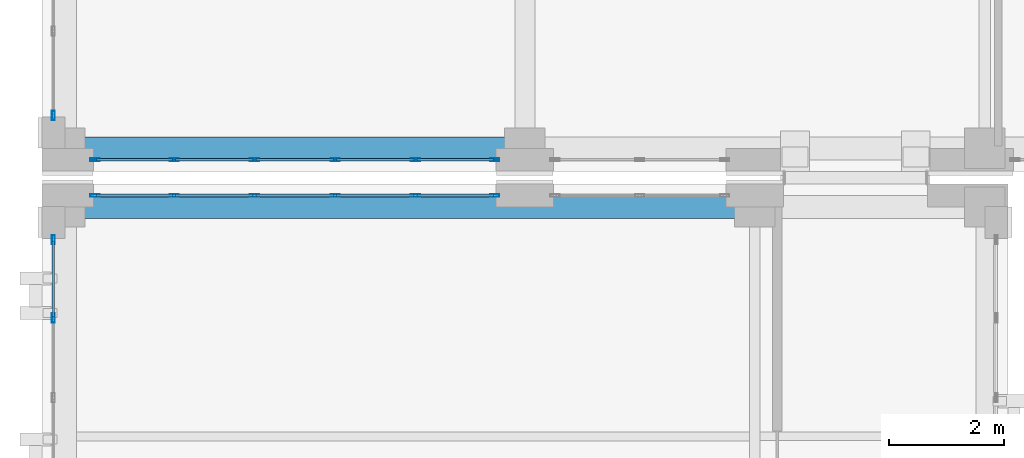
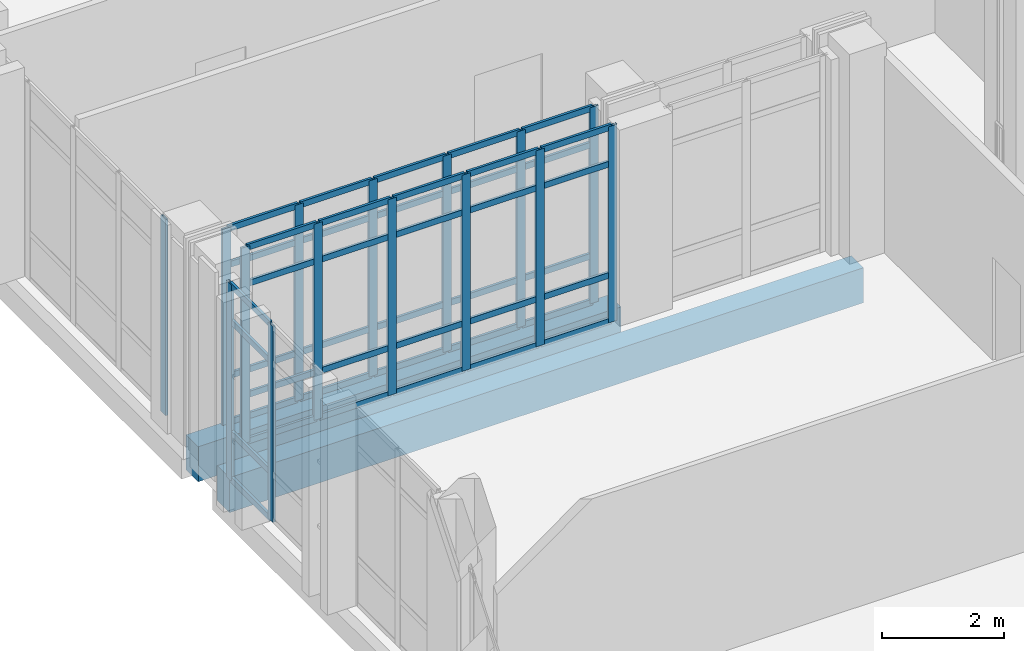
# One storey, part 75 of 158: 59 members, 2 beams, 4 elements without a shape of their own.
"""IFC4 building model written with IfcOpenShell, lengths in metres."""

from ifc_helpers import new_model, si_unit, direction, frame, origin, origin_2d, place, context, subcontext, project, spatial, rectangle, hollow_rectangle, extrude, material, layer, layer_set, material_profile, profile_set, type_object, element, aggregate, save


model = new_model("IFC4")

# Units and contexts
model_context = context("Model", 3, precision=1e-05, world=origin(), true_north=direction((0.0, 1.0)))
body_context = subcontext(model_context, "Body", "Model", "MODEL_VIEW")
ifc_project = project(units=[si_unit("LENGTHUNIT", "METRE"), si_unit("AREAUNIT", "SQUARE_METRE"), si_unit("VOLUMEUNIT", "CUBIC_METRE"), si_unit("PLANEANGLEUNIT", "RADIAN"), si_unit("MASSUNIT", "GRAM", prefix="KILO")], contexts=[model_context])

# Site, building, storey
site_placement = place(None, origin())
site = spatial("IfcSite", under=ifc_project, at=site_placement, CompositionType="ELEMENT")
building_placement = place(site_placement, origin())
building = spatial("IfcBuilding", under=site, at=building_placement, Name="Qalavern Law Courts", CompositionType="ELEMENT")
storey_placement = place(building_placement, frame((0.0, 0.0, 18.60009765625)))
storey = spatial("IfcBuildingStorey", under=building, at=storey_placement, Name="L04", CompositionType="ELEMENT", Elevation=18.60009765625)

# Curtain wall, members
ifc_material_1 = material(Name="Anodised aluminium and insulated glazing", Category="aluminium")
ifc_layer_1 = layer(ifc_material_1, 0.159912109375)
ifc_layer_set_1 = layer_set([ifc_layer_1], Name="Anodised aluminium and insulated glazing")
curtain_wall_type_1 = type_object("IfcCurtainWallType", Name="ENV-CW-CHAMB", PredefinedType="USERDEFINED", material=ifc_layer_set_1)
curtain_wall_1_placement = place(storey_placement, origin())
curtain_wall_1 = element("IfcCurtainWall", 1, at=curtain_wall_1_placement, inside=storey, type_object=curtain_wall_type_1, Name="V3 unitised curtain wall L04 north 2", ObjectType="UNITISED CURTAIN WALL", PredefinedType="USERDEFINED")
ifc_material_2 = material(Name="Anodised aluminium", Category="aluminium")
ifc_material_profile_1 = material_profile(ifc_material_2, hollow_rectangle(XDim=0.048095703125, YDim=0.159912109375, WallThickness=0.00390625, at=origin_2d()), Name="ALU MULLION 48x160")
ifc_profile_set_1 = profile_set([ifc_material_profile_1], Name="Anodised aluminium")
member_type_1 = type_object("IfcMemberType", Name="ENV-CWM-48x160", PredefinedType="MULLION", material=ifc_profile_set_1)
member_1_placement = place(storey_placement, frame((9.8759765625, 95.780029296875, 0.0), z_axis=(0.0, 0.0, 1.0), x_axis=(0.0, -1.0, 0.0)))
member_1 = element("IfcMember", 2, at=member_1_placement, type_object=member_type_1, Name="CW-04 mullion 1", PredefinedType="MULLION", context=body_context, shape_type="SweptSolid", body=[
    extrude(hollow_rectangle(XDim=0.048095703125, YDim=0.159912109375, WallThickness=0.00390625, at=origin_2d()), origin(), (0.0, 0.0, 1.0), 3.9248046875),
])
member_2_placement = place(storey_placement, frame((8.5, 95.780029296875, 0.0), z_axis=(0.0, 0.0, 1.0), x_axis=(0.0, -1.0, 0.0)))
member_2 = element("IfcMember", 3, at=member_2_placement, type_object=member_type_1, Name="CW-04 mullion 2", PredefinedType="MULLION", context=body_context, shape_type="SweptSolid", body=[
    extrude(hollow_rectangle(XDim=0.048095703125, YDim=0.159912109375, WallThickness=0.00390625, at=origin_2d()), origin(), (0.0, 0.0, 1.0), 3.9248046875),
])
member_3_placement = place(storey_placement, frame((7.10009765625, 95.780029296875, 0.0), z_axis=(0.0, 0.0, 1.0), x_axis=(0.0, -1.0, 0.0)))
member_3 = element("IfcMember", 4, at=member_3_placement, type_object=member_type_1, Name="CW-04 mullion 3", PredefinedType="MULLION", context=body_context, shape_type="SweptSolid", body=[
    extrude(hollow_rectangle(XDim=0.048095703125, YDim=0.159912109375, WallThickness=0.00390625, at=origin_2d()), origin(), (0.0, 0.0, 1.0), 3.9248046875),
])
member_4_placement = place(storey_placement, frame((5.699951171875, 95.780029296875, 0.0), z_axis=(0.0, 0.0, 1.0), x_axis=(0.0, -1.0, 0.0)))
member_4 = element("IfcMember", 5, at=member_4_placement, type_object=member_type_1, Name="CW-04 mullion 4", PredefinedType="MULLION", context=body_context, shape_type="SweptSolid", body=[
    extrude(hollow_rectangle(XDim=0.048095703125, YDim=0.159912109375, WallThickness=0.00390625, at=origin_2d()), origin(), (0.0, 0.0, 1.0), 3.9248046875),
])
member_5_placement = place(storey_placement, frame((4.300048828125, 95.780029296875, 0.0), z_axis=(0.0, 0.0, 1.0), x_axis=(0.0, -1.0, 0.0)))
member_5 = element("IfcMember", 6, at=member_5_placement, type_object=member_type_1, Name="CW-04 mullion 5", PredefinedType="MULLION", context=body_context, shape_type="SweptSolid", body=[
    extrude(hollow_rectangle(XDim=0.048095703125, YDim=0.159912109375, WallThickness=0.00390625, at=origin_2d()), origin(), (0.0, 0.0, 1.0), 3.9248046875),
])
member_6_placement = place(storey_placement, frame((2.924072265625, 95.780029296875, 0.0), z_axis=(0.0, 0.0, 1.0), x_axis=(0.0, -1.0, 0.0)))
member_6 = element("IfcMember", 7, at=member_6_placement, type_object=member_type_1, Name="CW-04 mullion 6", PredefinedType="MULLION", context=body_context, shape_type="SweptSolid", body=[
    extrude(hollow_rectangle(XDim=0.048095703125, YDim=0.159912109375, WallThickness=0.00390625, at=origin_2d()), origin(), (0.0, 0.0, 1.0), 3.9248046875),
])

curtain_wall_2_placement = place(storey_placement, origin())
curtain_wall_2 = element("IfcCurtainWall", 8, at=curtain_wall_2_placement, inside=storey, type_object=curtain_wall_type_1, Name="V3 unitised curtain wall L04 west 1", ObjectType="UNITISED CURTAIN WALL", PredefinedType="USERDEFINED")
member_7_placement = place(storey_placement, frame((2.199951171875, 95.010986328125, 0.0), z_axis=(0.0, 0.0, 1.0), x_axis=(1.0, 0.0, 0.0)))
member_7 = element("IfcMember", 9, at=member_7_placement, type_object=member_type_1, Name="CW-04 mullion 1", PredefinedType="MULLION", context=body_context, shape_type="SweptSolid", body=[
    extrude(hollow_rectangle(XDim=0.048095703125, YDim=0.159912109375, WallThickness=0.00390625, at=origin_2d()), origin(), (0.0, 0.0, 1.0), 3.9248046875),
])
member_8_placement = place(storey_placement, frame((2.199951171875, 93.64794921875, 0.0), z_axis=(0.0, 0.0, 1.0), x_axis=(1.0, 0.0, 0.0)))
member_8 = element("IfcMember", 10, at=member_8_placement, type_object=member_type_1, Name="CW-04 mullion 2", PredefinedType="MULLION", context=body_context, shape_type="SweptSolid", body=[
    extrude(hollow_rectangle(XDim=0.048095703125, YDim=0.159912109375, WallThickness=0.00390625, at=origin_2d()), origin(), (0.0, 0.0, 1.0), 3.9248046875),
])

ifc_layer_2 = layer(ifc_material_1, 0.166015625)
ifc_layer_set_2 = layer_set([ifc_layer_2], Name="Anodised aluminium and insulated glazing")
curtain_wall_type_2 = type_object("IfcCurtainWallType", Name="ENV-CW-LIB", PredefinedType="USERDEFINED", material=ifc_layer_set_2)
curtain_wall_3_placement = place(storey_placement, origin())
curtain_wall_3 = element("IfcCurtainWall", 11, at=curtain_wall_3_placement, inside=storey, type_object=curtain_wall_type_2, Name="V5 unitised curtain wall L04 south 1", ObjectType="UNITISED CURTAIN WALL", PredefinedType="USERDEFINED")
member_9_placement = place(storey_placement, frame((2.924072265625, 96.39990234375, 0.0), z_axis=(0.0, 0.0, 1.0), x_axis=(0.0, 1.0, 0.0)))
member_9 = element("IfcMember", 12, at=member_9_placement, type_object=member_type_1, Name="CW-05 mullion 1", PredefinedType="MULLION", context=body_context, shape_type="SweptSolid", body=[
    extrude(hollow_rectangle(XDim=0.048095703125, YDim=0.159912109375, WallThickness=0.00390625, at=origin_2d()), origin(), (0.0, 0.0, 1.0), 3.9248046875),
])
member_10_placement = place(storey_placement, frame((4.300048828125, 96.39990234375, 0.0), z_axis=(0.0, 0.0, 1.0), x_axis=(0.0, 1.0, 0.0)))
member_10 = element("IfcMember", 13, at=member_10_placement, type_object=member_type_1, Name="CW-05 mullion 2", PredefinedType="MULLION", context=body_context, shape_type="SweptSolid", body=[
    extrude(hollow_rectangle(XDim=0.048095703125, YDim=0.159912109375, WallThickness=0.00390625, at=origin_2d()), origin(), (0.0, 0.0, 1.0), 3.9248046875),
])
member_11_placement = place(storey_placement, frame((5.699951171875, 96.39990234375, 0.0), z_axis=(0.0, 0.0, 1.0), x_axis=(0.0, 1.0, 0.0)))
member_11 = element("IfcMember", 14, at=member_11_placement, type_object=member_type_1, Name="CW-05 mullion 3", PredefinedType="MULLION", context=body_context, shape_type="SweptSolid", body=[
    extrude(hollow_rectangle(XDim=0.048095703125, YDim=0.159912109375, WallThickness=0.00390625, at=origin_2d()), origin(), (0.0, 0.0, 1.0), 3.9248046875),
])
member_12_placement = place(storey_placement, frame((7.10009765625, 96.39990234375, 0.0), z_axis=(0.0, 0.0, 1.0), x_axis=(0.0, 1.0, 0.0)))
member_12 = element("IfcMember", 15, at=member_12_placement, type_object=member_type_1, Name="CW-05 mullion 4", PredefinedType="MULLION", context=body_context, shape_type="SweptSolid", body=[
    extrude(hollow_rectangle(XDim=0.048095703125, YDim=0.159912109375, WallThickness=0.00390625, at=origin_2d()), origin(), (0.0, 0.0, 1.0), 3.9248046875),
])
member_13_placement = place(storey_placement, frame((8.5, 96.39990234375, 0.0), z_axis=(0.0, 0.0, 1.0), x_axis=(0.0, 1.0, 0.0)))
member_13 = element("IfcMember", 16, at=member_13_placement, type_object=member_type_1, Name="CW-05 mullion 5", PredefinedType="MULLION", context=body_context, shape_type="SweptSolid", body=[
    extrude(hollow_rectangle(XDim=0.048095703125, YDim=0.159912109375, WallThickness=0.00390625, at=origin_2d()), origin(), (0.0, 0.0, 1.0), 3.9248046875),
])
member_14_placement = place(storey_placement, frame((9.8759765625, 96.39990234375, 0.0), z_axis=(0.0, 0.0, 1.0), x_axis=(0.0, 1.0, 0.0)))
member_14 = element("IfcMember", 17, at=member_14_placement, type_object=member_type_1, Name="CW-05 mullion 6", PredefinedType="MULLION", context=body_context, shape_type="SweptSolid", body=[
    extrude(hollow_rectangle(XDim=0.048095703125, YDim=0.159912109375, WallThickness=0.00390625, at=origin_2d()), origin(), (0.0, 0.0, 1.0), 3.9248046875),
])

# Curtain wall, member
curtain_wall_4_placement = place(storey_placement, origin())
curtain_wall_4 = element("IfcCurtainWall", 18, at=curtain_wall_4_placement, inside=storey, type_object=curtain_wall_type_2, Name="V5 unitised curtain wall L04 west 2", ObjectType="UNITISED CURTAIN WALL", PredefinedType="USERDEFINED")
member_15_placement = place(storey_placement, frame((2.199951171875, 97.1689453125, 0.0), z_axis=(0.0, 0.0, 1.0), x_axis=(1.0, 0.0, 0.0)))
member_15 = element("IfcMember", 19, at=member_15_placement, type_object=member_type_1, Name="CW-05 mullion 5", PredefinedType="MULLION", context=body_context, shape_type="SweptSolid", body=[
    extrude(hollow_rectangle(XDim=0.048095703125, YDim=0.159912109375, WallThickness=0.00390625, at=origin_2d()), origin(), (0.0, 0.0, 1.0), 3.9248046875),
])
aggregate(curtain_wall_4, [member_15])

# Member
ifc_material_profile_2 = material_profile(ifc_material_2, hollow_rectangle(XDim=0.048095703125, YDim=0.1201171875, WallThickness=0.00390625, at=origin_2d()), Name="ALU TRANSOM 48x120")
ifc_profile_set_2 = profile_set([ifc_material_profile_2], Name="Anodised aluminium")
member_type_2 = type_object("IfcMemberType", Name="ENV-CWT-48x120", PredefinedType="USERDEFINED", material=ifc_profile_set_2)
member_16_placement = place(storey_placement, frame((9.85205078125, 95.780029296875, 0.02392578125), z_axis=(-1.0, 0.0, 0.0), x_axis=(0.0, -1.0, 0.0)))
member_16 = element("IfcMember", 20, at=member_16_placement, type_object=member_type_2, Name="CW-04 transom 1.1", ObjectType="TRANSOM", PredefinedType="USERDEFINED", context=body_context, shape_type="SweptSolid", body=[
    extrude(hollow_rectangle(XDim=0.048095703125, YDim=0.1201171875, WallThickness=0.00390625, at=origin_2d()), origin(), (0.0, 0.0, 1.0), 1.328125),
])

member_17_placement = place(storey_placement, frame((9.85205078125, 95.780029296875, 0.949951171875), z_axis=(-1.0, 0.0, 0.0), x_axis=(0.0, -1.0, 0.0)))
member_17 = element("IfcMember", 21, at=member_17_placement, type_object=member_type_2, Name="CW-04 transom 1.2", ObjectType="TRANSOM", PredefinedType="USERDEFINED", context=body_context, shape_type="SweptSolid", body=[
    extrude(hollow_rectangle(XDim=0.048095703125, YDim=0.1201171875, WallThickness=0.00390625, at=origin_2d()), origin(), (0.0, 0.0, 1.0), 1.328125),
])

member_18_placement = place(storey_placement, frame((9.85205078125, 95.780029296875, 3.1748046875), z_axis=(-1.0, 0.0, 0.0), x_axis=(0.0, -1.0, 0.0)))
member_18 = element("IfcMember", 22, at=member_18_placement, type_object=member_type_2, Name="CW-04 transom 1.3", ObjectType="TRANSOM", PredefinedType="USERDEFINED", context=body_context, shape_type="SweptSolid", body=[
    extrude(hollow_rectangle(XDim=0.048095703125, YDim=0.1201171875, WallThickness=0.00390625, at=origin_2d()), origin(), (0.0, 0.0, 1.0), 1.328125),
])

member_19_placement = place(storey_placement, frame((9.85205078125, 95.780029296875, 3.90087890625), z_axis=(-1.0, 0.0, 0.0), x_axis=(0.0, -1.0, 0.0)))
member_19 = element("IfcMember", 23, at=member_19_placement, type_object=member_type_2, Name="CW-04 transom 1.4", ObjectType="TRANSOM", PredefinedType="USERDEFINED", context=body_context, shape_type="SweptSolid", body=[
    extrude(hollow_rectangle(XDim=0.048095703125, YDim=0.1201171875, WallThickness=0.00390625, at=origin_2d()), origin(), (0.0, 0.0, 1.0), 1.328125),
])

member_20_placement = place(storey_placement, frame((8.47607421875, 95.780029296875, 0.02392578125), z_axis=(-1.0, 0.0, 0.0), x_axis=(0.0, -1.0, 0.0)))
member_20 = element("IfcMember", 24, at=member_20_placement, type_object=member_type_2, Name="CW-04 transom 2.1", ObjectType="TRANSOM", PredefinedType="USERDEFINED", context=body_context, shape_type="SweptSolid", body=[
    extrude(hollow_rectangle(XDim=0.048095703125, YDim=0.1201171875, WallThickness=0.00390625, at=origin_2d()), origin(), (0.0, 0.0, 1.0), 1.35205078125),
])

member_21_placement = place(storey_placement, frame((8.47607421875, 95.780029296875, 0.949951171875), z_axis=(-1.0, 0.0, 0.0), x_axis=(0.0, -1.0, 0.0)))
member_21 = element("IfcMember", 25, at=member_21_placement, type_object=member_type_2, Name="CW-04 transom 2.2", ObjectType="TRANSOM", PredefinedType="USERDEFINED", context=body_context, shape_type="SweptSolid", body=[
    extrude(hollow_rectangle(XDim=0.048095703125, YDim=0.1201171875, WallThickness=0.00390625, at=origin_2d()), origin(), (0.0, 0.0, 1.0), 1.35205078125),
])

member_22_placement = place(storey_placement, frame((8.47607421875, 95.780029296875, 3.1748046875), z_axis=(-1.0, 0.0, 0.0), x_axis=(0.0, -1.0, 0.0)))
member_22 = element("IfcMember", 26, at=member_22_placement, type_object=member_type_2, Name="CW-04 transom 2.3", ObjectType="TRANSOM", PredefinedType="USERDEFINED", context=body_context, shape_type="SweptSolid", body=[
    extrude(hollow_rectangle(XDim=0.048095703125, YDim=0.1201171875, WallThickness=0.00390625, at=origin_2d()), origin(), (0.0, 0.0, 1.0), 1.35205078125),
])

member_23_placement = place(storey_placement, frame((8.47607421875, 95.780029296875, 3.90087890625), z_axis=(-1.0, 0.0, 0.0), x_axis=(0.0, -1.0, 0.0)))
member_23 = element("IfcMember", 27, at=member_23_placement, type_object=member_type_2, Name="CW-04 transom 2.4", ObjectType="TRANSOM", PredefinedType="USERDEFINED", context=body_context, shape_type="SweptSolid", body=[
    extrude(hollow_rectangle(XDim=0.048095703125, YDim=0.1201171875, WallThickness=0.00390625, at=origin_2d()), origin(), (0.0, 0.0, 1.0), 1.35205078125),
])

member_24_placement = place(storey_placement, frame((7.075927734375, 95.780029296875, 0.02392578125), z_axis=(-1.0, 0.0, 0.0), x_axis=(0.0, -1.0, 0.0)))
member_24 = element("IfcMember", 28, at=member_24_placement, type_object=member_type_2, Name="CW-04 transom 3.1", ObjectType="TRANSOM", PredefinedType="USERDEFINED", context=body_context, shape_type="SweptSolid", body=[
    extrude(hollow_rectangle(XDim=0.048095703125, YDim=0.1201171875, WallThickness=0.00390625, at=origin_2d()), origin(), (0.0, 0.0, 1.0), 1.351806640625),
])

member_25_placement = place(storey_placement, frame((7.075927734375, 95.780029296875, 0.949951171875), z_axis=(-1.0, 0.0, 0.0), x_axis=(0.0, -1.0, 0.0)))
member_25 = element("IfcMember", 29, at=member_25_placement, type_object=member_type_2, Name="CW-04 transom 3.2", ObjectType="TRANSOM", PredefinedType="USERDEFINED", context=body_context, shape_type="SweptSolid", body=[
    extrude(hollow_rectangle(XDim=0.048095703125, YDim=0.1201171875, WallThickness=0.00390625, at=origin_2d()), origin(), (0.0, 0.0, 1.0), 1.351806640625),
])

member_26_placement = place(storey_placement, frame((7.075927734375, 95.780029296875, 3.1748046875), z_axis=(-1.0, 0.0, 0.0), x_axis=(0.0, -1.0, 0.0)))
member_26 = element("IfcMember", 30, at=member_26_placement, type_object=member_type_2, Name="CW-04 transom 3.3", ObjectType="TRANSOM", PredefinedType="USERDEFINED", context=body_context, shape_type="SweptSolid", body=[
    extrude(hollow_rectangle(XDim=0.048095703125, YDim=0.1201171875, WallThickness=0.00390625, at=origin_2d()), origin(), (0.0, 0.0, 1.0), 1.351806640625),
])

member_27_placement = place(storey_placement, frame((7.075927734375, 95.780029296875, 3.90087890625), z_axis=(-1.0, 0.0, 0.0), x_axis=(0.0, -1.0, 0.0)))
member_27 = element("IfcMember", 31, at=member_27_placement, type_object=member_type_2, Name="CW-04 transom 3.4", ObjectType="TRANSOM", PredefinedType="USERDEFINED", context=body_context, shape_type="SweptSolid", body=[
    extrude(hollow_rectangle(XDim=0.048095703125, YDim=0.1201171875, WallThickness=0.00390625, at=origin_2d()), origin(), (0.0, 0.0, 1.0), 1.351806640625),
])

member_28_placement = place(storey_placement, frame((5.676025390625, 95.780029296875, 0.02392578125), z_axis=(-1.0, 0.0, 0.0), x_axis=(0.0, -1.0, 0.0)))
member_28 = element("IfcMember", 32, at=member_28_placement, type_object=member_type_2, Name="CW-04 transom 4.1", ObjectType="TRANSOM", PredefinedType="USERDEFINED", context=body_context, shape_type="SweptSolid", body=[
    extrude(hollow_rectangle(XDim=0.048095703125, YDim=0.1201171875, WallThickness=0.00390625, at=origin_2d()), origin(), (0.0, 0.0, 1.0), 1.35205078125),
])

member_29_placement = place(storey_placement, frame((5.676025390625, 95.780029296875, 0.949951171875), z_axis=(-1.0, 0.0, 0.0), x_axis=(0.0, -1.0, 0.0)))
member_29 = element("IfcMember", 33, at=member_29_placement, type_object=member_type_2, Name="CW-04 transom 4.2", ObjectType="TRANSOM", PredefinedType="USERDEFINED", context=body_context, shape_type="SweptSolid", body=[
    extrude(hollow_rectangle(XDim=0.048095703125, YDim=0.1201171875, WallThickness=0.00390625, at=origin_2d()), origin(), (0.0, 0.0, 1.0), 1.35205078125),
])

member_30_placement = place(storey_placement, frame((5.676025390625, 95.780029296875, 3.1748046875), z_axis=(-1.0, 0.0, 0.0), x_axis=(0.0, -1.0, 0.0)))
member_30 = element("IfcMember", 34, at=member_30_placement, type_object=member_type_2, Name="CW-04 transom 4.3", ObjectType="TRANSOM", PredefinedType="USERDEFINED", context=body_context, shape_type="SweptSolid", body=[
    extrude(hollow_rectangle(XDim=0.048095703125, YDim=0.1201171875, WallThickness=0.00390625, at=origin_2d()), origin(), (0.0, 0.0, 1.0), 1.35205078125),
])

member_31_placement = place(storey_placement, frame((5.676025390625, 95.780029296875, 3.90087890625), z_axis=(-1.0, 0.0, 0.0), x_axis=(0.0, -1.0, 0.0)))
member_31 = element("IfcMember", 35, at=member_31_placement, type_object=member_type_2, Name="CW-04 transom 4.4", ObjectType="TRANSOM", PredefinedType="USERDEFINED", context=body_context, shape_type="SweptSolid", body=[
    extrude(hollow_rectangle(XDim=0.048095703125, YDim=0.1201171875, WallThickness=0.00390625, at=origin_2d()), origin(), (0.0, 0.0, 1.0), 1.35205078125),
])

member_32_placement = place(storey_placement, frame((4.27587890625, 95.780029296875, 0.02392578125), z_axis=(-1.0, 0.0, 0.0), x_axis=(0.0, -1.0, 0.0)))
member_32 = element("IfcMember", 36, at=member_32_placement, type_object=member_type_2, Name="CW-04 transom 5.1", ObjectType="TRANSOM", PredefinedType="USERDEFINED", context=body_context, shape_type="SweptSolid", body=[
    extrude(hollow_rectangle(XDim=0.048095703125, YDim=0.1201171875, WallThickness=0.00390625, at=origin_2d()), origin(), (0.0, 0.0, 1.0), 1.327880859375),
])

member_33_placement = place(storey_placement, frame((4.27587890625, 95.780029296875, 0.949951171875), z_axis=(-1.0, 0.0, 0.0), x_axis=(0.0, -1.0, 0.0)))
member_33 = element("IfcMember", 37, at=member_33_placement, type_object=member_type_2, Name="CW-04 transom 5.2", ObjectType="TRANSOM", PredefinedType="USERDEFINED", context=body_context, shape_type="SweptSolid", body=[
    extrude(hollow_rectangle(XDim=0.048095703125, YDim=0.1201171875, WallThickness=0.00390625, at=origin_2d()), origin(), (0.0, 0.0, 1.0), 1.327880859375),
])

member_34_placement = place(storey_placement, frame((4.27587890625, 95.780029296875, 3.1748046875), z_axis=(-1.0, 0.0, 0.0), x_axis=(0.0, -1.0, 0.0)))
member_34 = element("IfcMember", 38, at=member_34_placement, type_object=member_type_2, Name="CW-04 transom 5.3", ObjectType="TRANSOM", PredefinedType="USERDEFINED", context=body_context, shape_type="SweptSolid", body=[
    extrude(hollow_rectangle(XDim=0.048095703125, YDim=0.1201171875, WallThickness=0.00390625, at=origin_2d()), origin(), (0.0, 0.0, 1.0), 1.327880859375),
])

member_35_placement = place(storey_placement, frame((4.27587890625, 95.780029296875, 3.90087890625), z_axis=(-1.0, 0.0, 0.0), x_axis=(0.0, -1.0, 0.0)))
member_35 = element("IfcMember", 39, at=member_35_placement, type_object=member_type_2, Name="CW-04 transom 5.4", ObjectType="TRANSOM", PredefinedType="USERDEFINED", context=body_context, shape_type="SweptSolid", body=[
    extrude(hollow_rectangle(XDim=0.048095703125, YDim=0.1201171875, WallThickness=0.00390625, at=origin_2d()), origin(), (0.0, 0.0, 1.0), 1.327880859375),
])

aggregate(curtain_wall_1, [member_1, member_2, member_3, member_4, member_5, member_6, member_16, member_17, member_18, member_19, member_20, member_21, member_22, member_23, member_24, member_25, member_26, member_27, member_28, member_29, member_30, member_31, member_32, member_33, member_34, member_35])

member_36_placement = place(storey_placement, frame((2.199951171875, 94.987060546875, 0.02392578125), z_axis=(0.0, -1.0, 0.0), x_axis=(1.0, 0.0, 0.0)))
member_36 = element("IfcMember", 40, at=member_36_placement, type_object=member_type_2, Name="CW-04 transom 1.1", ObjectType="TRANSOM", PredefinedType="USERDEFINED", context=body_context, shape_type="SweptSolid", body=[
    extrude(hollow_rectangle(XDim=0.048095703125, YDim=0.1201171875, WallThickness=0.00390625, at=origin_2d()), origin(), (0.0, 0.0, 1.0), 1.31494140625),
])

member_37_placement = place(storey_placement, frame((2.199951171875, 94.987060546875, 0.949951171875), z_axis=(0.0, -1.0, 0.0), x_axis=(1.0, 0.0, 0.0)))
member_37 = element("IfcMember", 41, at=member_37_placement, type_object=member_type_2, Name="CW-04 transom 1.2", ObjectType="TRANSOM", PredefinedType="USERDEFINED", context=body_context, shape_type="SweptSolid", body=[
    extrude(hollow_rectangle(XDim=0.048095703125, YDim=0.1201171875, WallThickness=0.00390625, at=origin_2d()), origin(), (0.0, 0.0, 1.0), 1.31494140625),
])

member_38_placement = place(storey_placement, frame((2.199951171875, 94.987060546875, 3.1748046875), z_axis=(0.0, -1.0, 0.0), x_axis=(1.0, 0.0, 0.0)))
member_38 = element("IfcMember", 42, at=member_38_placement, type_object=member_type_2, Name="CW-04 transom 1.3", ObjectType="TRANSOM", PredefinedType="USERDEFINED", context=body_context, shape_type="SweptSolid", body=[
    extrude(hollow_rectangle(XDim=0.048095703125, YDim=0.1201171875, WallThickness=0.00390625, at=origin_2d()), origin(), (0.0, 0.0, 1.0), 1.31494140625),
])

member_39_placement = place(storey_placement, frame((2.199951171875, 94.987060546875, 3.90087890625), z_axis=(0.0, -1.0, 0.0), x_axis=(1.0, 0.0, 0.0)))
member_39 = element("IfcMember", 43, at=member_39_placement, type_object=member_type_2, Name="CW-04 transom 1.4", ObjectType="TRANSOM", PredefinedType="USERDEFINED", context=body_context, shape_type="SweptSolid", body=[
    extrude(hollow_rectangle(XDim=0.048095703125, YDim=0.1201171875, WallThickness=0.00390625, at=origin_2d()), origin(), (0.0, 0.0, 1.0), 1.31494140625),
])

aggregate(curtain_wall_2, [member_7, member_8, member_36, member_37, member_38, member_39])

member_40_placement = place(storey_placement, frame((2.947998046875, 96.39990234375, 0.02392578125), z_axis=(1.0, 0.0, 0.0), x_axis=(0.0, 1.0, 0.0)))
member_40 = element("IfcMember", 44, at=member_40_placement, type_object=member_type_2, Name="CW-05 transom 1.1", ObjectType="TRANSOM", PredefinedType="USERDEFINED", context=body_context, shape_type="SweptSolid", body=[
    extrude(hollow_rectangle(XDim=0.048095703125, YDim=0.1201171875, WallThickness=0.00390625, at=origin_2d()), origin(), (0.0, 0.0, 1.0), 1.327880859375),
])

member_41_placement = place(storey_placement, frame((2.947998046875, 96.39990234375, 0.949951171875), z_axis=(1.0, 0.0, 0.0), x_axis=(0.0, 1.0, 0.0)))
member_41 = element("IfcMember", 45, at=member_41_placement, type_object=member_type_2, Name="CW-05 transom 1.2", ObjectType="TRANSOM", PredefinedType="USERDEFINED", context=body_context, shape_type="SweptSolid", body=[
    extrude(hollow_rectangle(XDim=0.048095703125, YDim=0.1201171875, WallThickness=0.00390625, at=origin_2d()), origin(), (0.0, 0.0, 1.0), 1.327880859375),
])

member_42_placement = place(storey_placement, frame((2.947998046875, 96.39990234375, 3.1748046875), z_axis=(1.0, 0.0, 0.0), x_axis=(0.0, 1.0, 0.0)))
member_42 = element("IfcMember", 46, at=member_42_placement, type_object=member_type_2, Name="CW-05 transom 1.3", ObjectType="TRANSOM", PredefinedType="USERDEFINED", context=body_context, shape_type="SweptSolid", body=[
    extrude(hollow_rectangle(XDim=0.048095703125, YDim=0.1201171875, WallThickness=0.00390625, at=origin_2d()), origin(), (0.0, 0.0, 1.0), 1.327880859375),
])

member_43_placement = place(storey_placement, frame((2.947998046875, 96.39990234375, 3.90087890625), z_axis=(1.0, 0.0, 0.0), x_axis=(0.0, 1.0, 0.0)))
member_43 = element("IfcMember", 47, at=member_43_placement, type_object=member_type_2, Name="CW-05 transom 1.4", ObjectType="TRANSOM", PredefinedType="USERDEFINED", context=body_context, shape_type="SweptSolid", body=[
    extrude(hollow_rectangle(XDim=0.048095703125, YDim=0.1201171875, WallThickness=0.00390625, at=origin_2d()), origin(), (0.0, 0.0, 1.0), 1.327880859375),
])

member_44_placement = place(storey_placement, frame((4.323974609375, 96.39990234375, 0.02392578125), z_axis=(1.0, 0.0, 0.0), x_axis=(0.0, 1.0, 0.0)))
member_44 = element("IfcMember", 48, at=member_44_placement, type_object=member_type_2, Name="CW-05 transom 2.1", ObjectType="TRANSOM", PredefinedType="USERDEFINED", context=body_context, shape_type="SweptSolid", body=[
    extrude(hollow_rectangle(XDim=0.048095703125, YDim=0.1201171875, WallThickness=0.00390625, at=origin_2d()), origin(), (0.0, 0.0, 1.0), 1.35205078125),
])

member_45_placement = place(storey_placement, frame((4.323974609375, 96.39990234375, 0.949951171875), z_axis=(1.0, 0.0, 0.0), x_axis=(0.0, 1.0, 0.0)))
member_45 = element("IfcMember", 49, at=member_45_placement, type_object=member_type_2, Name="CW-05 transom 2.2", ObjectType="TRANSOM", PredefinedType="USERDEFINED", context=body_context, shape_type="SweptSolid", body=[
    extrude(hollow_rectangle(XDim=0.048095703125, YDim=0.1201171875, WallThickness=0.00390625, at=origin_2d()), origin(), (0.0, 0.0, 1.0), 1.35205078125),
])

member_46_placement = place(storey_placement, frame((4.323974609375, 96.39990234375, 3.1748046875), z_axis=(1.0, 0.0, 0.0), x_axis=(0.0, 1.0, 0.0)))
member_46 = element("IfcMember", 50, at=member_46_placement, type_object=member_type_2, Name="CW-05 transom 2.3", ObjectType="TRANSOM", PredefinedType="USERDEFINED", context=body_context, shape_type="SweptSolid", body=[
    extrude(hollow_rectangle(XDim=0.048095703125, YDim=0.1201171875, WallThickness=0.00390625, at=origin_2d()), origin(), (0.0, 0.0, 1.0), 1.35205078125),
])

member_47_placement = place(storey_placement, frame((4.323974609375, 96.39990234375, 3.90087890625), z_axis=(1.0, 0.0, 0.0), x_axis=(0.0, 1.0, 0.0)))
member_47 = element("IfcMember", 51, at=member_47_placement, type_object=member_type_2, Name="CW-05 transom 2.4", ObjectType="TRANSOM", PredefinedType="USERDEFINED", context=body_context, shape_type="SweptSolid", body=[
    extrude(hollow_rectangle(XDim=0.048095703125, YDim=0.1201171875, WallThickness=0.00390625, at=origin_2d()), origin(), (0.0, 0.0, 1.0), 1.35205078125),
])

member_48_placement = place(storey_placement, frame((5.72412109375, 96.39990234375, 0.02392578125), z_axis=(1.0, 0.0, 0.0), x_axis=(0.0, 1.0, 0.0)))
member_48 = element("IfcMember", 52, at=member_48_placement, type_object=member_type_2, Name="CW-05 transom 3.1", ObjectType="TRANSOM", PredefinedType="USERDEFINED", context=body_context, shape_type="SweptSolid", body=[
    extrude(hollow_rectangle(XDim=0.048095703125, YDim=0.1201171875, WallThickness=0.00390625, at=origin_2d()), origin(), (0.0, 0.0, 1.0), 1.351806640625),
])

member_49_placement = place(storey_placement, frame((5.72412109375, 96.39990234375, 0.949951171875), z_axis=(1.0, 0.0, 0.0), x_axis=(0.0, 1.0, 0.0)))
member_49 = element("IfcMember", 53, at=member_49_placement, type_object=member_type_2, Name="CW-05 transom 3.2", ObjectType="TRANSOM", PredefinedType="USERDEFINED", context=body_context, shape_type="SweptSolid", body=[
    extrude(hollow_rectangle(XDim=0.048095703125, YDim=0.1201171875, WallThickness=0.00390625, at=origin_2d()), origin(), (0.0, 0.0, 1.0), 1.351806640625),
])

member_50_placement = place(storey_placement, frame((5.72412109375, 96.39990234375, 3.1748046875), z_axis=(1.0, 0.0, 0.0), x_axis=(0.0, 1.0, 0.0)))
member_50 = element("IfcMember", 54, at=member_50_placement, type_object=member_type_2, Name="CW-05 transom 3.3", ObjectType="TRANSOM", PredefinedType="USERDEFINED", context=body_context, shape_type="SweptSolid", body=[
    extrude(hollow_rectangle(XDim=0.048095703125, YDim=0.1201171875, WallThickness=0.00390625, at=origin_2d()), origin(), (0.0, 0.0, 1.0), 1.351806640625),
])

member_51_placement = place(storey_placement, frame((5.72412109375, 96.39990234375, 3.90087890625), z_axis=(1.0, 0.0, 0.0), x_axis=(0.0, 1.0, 0.0)))
member_51 = element("IfcMember", 55, at=member_51_placement, type_object=member_type_2, Name="CW-05 transom 3.4", ObjectType="TRANSOM", PredefinedType="USERDEFINED", context=body_context, shape_type="SweptSolid", body=[
    extrude(hollow_rectangle(XDim=0.048095703125, YDim=0.1201171875, WallThickness=0.00390625, at=origin_2d()), origin(), (0.0, 0.0, 1.0), 1.351806640625),
])

member_52_placement = place(storey_placement, frame((7.1240234375, 96.39990234375, 0.02392578125), z_axis=(1.0, 0.0, 0.0), x_axis=(0.0, 1.0, 0.0)))
member_52 = element("IfcMember", 56, at=member_52_placement, type_object=member_type_2, Name="CW-05 transom 4.1", ObjectType="TRANSOM", PredefinedType="USERDEFINED", context=body_context, shape_type="SweptSolid", body=[
    extrude(hollow_rectangle(XDim=0.048095703125, YDim=0.1201171875, WallThickness=0.00390625, at=origin_2d()), origin(), (0.0, 0.0, 1.0), 1.35205078125),
])

member_53_placement = place(storey_placement, frame((7.1240234375, 96.39990234375, 0.949951171875), z_axis=(1.0, 0.0, 0.0), x_axis=(0.0, 1.0, 0.0)))
member_53 = element("IfcMember", 57, at=member_53_placement, type_object=member_type_2, Name="CW-05 transom 4.2", ObjectType="TRANSOM", PredefinedType="USERDEFINED", context=body_context, shape_type="SweptSolid", body=[
    extrude(hollow_rectangle(XDim=0.048095703125, YDim=0.1201171875, WallThickness=0.00390625, at=origin_2d()), origin(), (0.0, 0.0, 1.0), 1.35205078125),
])

member_54_placement = place(storey_placement, frame((7.1240234375, 96.39990234375, 3.1748046875), z_axis=(1.0, 0.0, 0.0), x_axis=(0.0, 1.0, 0.0)))
member_54 = element("IfcMember", 58, at=member_54_placement, type_object=member_type_2, Name="CW-05 transom 4.3", ObjectType="TRANSOM", PredefinedType="USERDEFINED", context=body_context, shape_type="SweptSolid", body=[
    extrude(hollow_rectangle(XDim=0.048095703125, YDim=0.1201171875, WallThickness=0.00390625, at=origin_2d()), origin(), (0.0, 0.0, 1.0), 1.35205078125),
])

member_55_placement = place(storey_placement, frame((7.1240234375, 96.39990234375, 3.90087890625), z_axis=(1.0, 0.0, 0.0), x_axis=(0.0, 1.0, 0.0)))
member_55 = element("IfcMember", 59, at=member_55_placement, type_object=member_type_2, Name="CW-05 transom 4.4", ObjectType="TRANSOM", PredefinedType="USERDEFINED", context=body_context, shape_type="SweptSolid", body=[
    extrude(hollow_rectangle(XDim=0.048095703125, YDim=0.1201171875, WallThickness=0.00390625, at=origin_2d()), origin(), (0.0, 0.0, 1.0), 1.35205078125),
])

member_56_placement = place(storey_placement, frame((8.52392578125, 96.39990234375, 0.02392578125), z_axis=(1.0, 0.0, 0.0), x_axis=(0.0, 1.0, 0.0)))
member_56 = element("IfcMember", 60, at=member_56_placement, type_object=member_type_2, Name="CW-05 transom 5.1", ObjectType="TRANSOM", PredefinedType="USERDEFINED", context=body_context, shape_type="SweptSolid", body=[
    extrude(hollow_rectangle(XDim=0.048095703125, YDim=0.1201171875, WallThickness=0.00390625, at=origin_2d()), origin(), (0.0, 0.0, 1.0), 1.328125),
])

member_57_placement = place(storey_placement, frame((8.52392578125, 96.39990234375, 0.949951171875), z_axis=(1.0, 0.0, 0.0), x_axis=(0.0, 1.0, 0.0)))
member_57 = element("IfcMember", 61, at=member_57_placement, type_object=member_type_2, Name="CW-05 transom 5.2", ObjectType="TRANSOM", PredefinedType="USERDEFINED", context=body_context, shape_type="SweptSolid", body=[
    extrude(hollow_rectangle(XDim=0.048095703125, YDim=0.1201171875, WallThickness=0.00390625, at=origin_2d()), origin(), (0.0, 0.0, 1.0), 1.328125),
])

member_58_placement = place(storey_placement, frame((8.52392578125, 96.39990234375, 3.1748046875), z_axis=(1.0, 0.0, 0.0), x_axis=(0.0, 1.0, 0.0)))
member_58 = element("IfcMember", 62, at=member_58_placement, type_object=member_type_2, Name="CW-05 transom 5.3", ObjectType="TRANSOM", PredefinedType="USERDEFINED", context=body_context, shape_type="SweptSolid", body=[
    extrude(hollow_rectangle(XDim=0.048095703125, YDim=0.1201171875, WallThickness=0.00390625, at=origin_2d()), origin(), (0.0, 0.0, 1.0), 1.328125),
])

member_59_placement = place(storey_placement, frame((8.52392578125, 96.39990234375, 3.90087890625), z_axis=(1.0, 0.0, 0.0), x_axis=(0.0, 1.0, 0.0)))
member_59 = element("IfcMember", 63, at=member_59_placement, type_object=member_type_2, Name="CW-05 transom 5.4", ObjectType="TRANSOM", PredefinedType="USERDEFINED", context=body_context, shape_type="SweptSolid", body=[
    extrude(hollow_rectangle(XDim=0.048095703125, YDim=0.1201171875, WallThickness=0.00390625, at=origin_2d()), origin(), (0.0, 0.0, 1.0), 1.328125),
])

aggregate(curtain_wall_3, [member_9, member_10, member_11, member_12, member_13, member_14, member_40, member_41, member_42, member_43, member_44, member_45, member_46, member_47, member_48, member_49, member_50, member_51, member_52, member_53, member_54, member_55, member_56, member_57, member_58, member_59])

# Beams
ifc_material_3 = material(Name="Concrete C40/50", Category="concrete")
ifc_material_profile_3 = material_profile(ifc_material_3, rectangle(XDim=0.39990234375, YDim=0.699951171875, at=origin_2d()), Name="RC 400x700")
ifc_profile_set_3 = profile_set([ifc_material_profile_3], Name="Concrete C40/50")
beam_type = type_object("IfcBeamType", Name="STR-SP-RC400x700", PredefinedType="SPANDREL", material=ifc_profile_set_3)
beam_1_placement = place(storey_placement, frame((2.39990234375, 95.580078125, -0.630126953125), z_axis=(1.0, 0.0, 0.0), x_axis=(0.0, 1.0, 0.0)))
element("IfcBeam", 64, at=beam_1_placement, inside=storey, type_object=beam_type, Name="V3 X-beam 8-1 L04", PredefinedType="SPANDREL", context=body_context, shape_type="SweptSolid", body=[
    extrude(rectangle(XDim=0.39990234375, YDim=0.699951171875, at=origin_2d()), origin(), (0.0, 0.0, 1.0), 12.0),
])
beam_2_placement = place(storey_placement, frame((2.39990234375, 96.60009765625, -0.630126953125), z_axis=(1.0, 0.0, 0.0), x_axis=(0.0, 1.0, 0.0)))
element("IfcBeam", 65, at=beam_2_placement, inside=storey, type_object=beam_type, Name="V5 X-beam 1-1 L04", PredefinedType="SPANDREL", context=body_context, shape_type="SweptSolid", body=[
    extrude(rectangle(XDim=0.39990234375, YDim=0.699951171875, at=origin_2d()), origin(), (0.0, 0.0, 1.0), 8.0),
])

save(model, "model.ifc")
